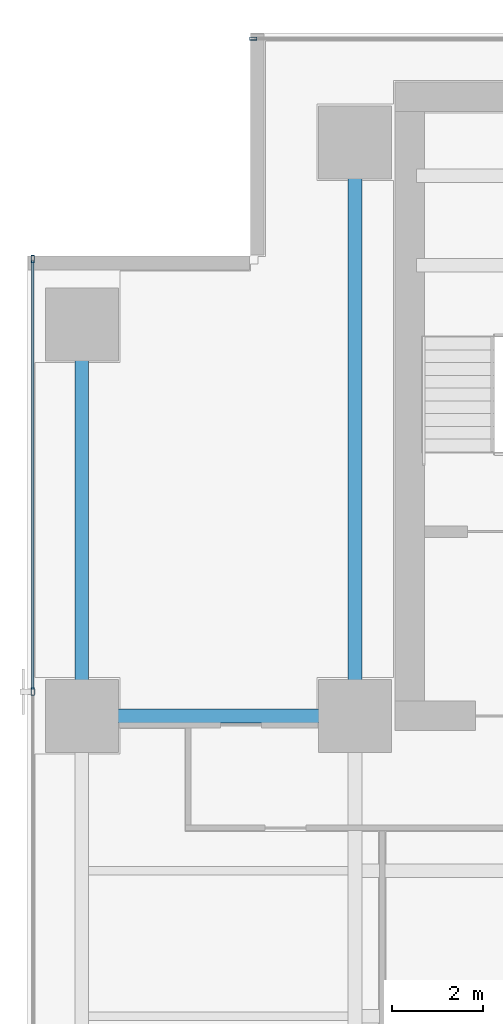
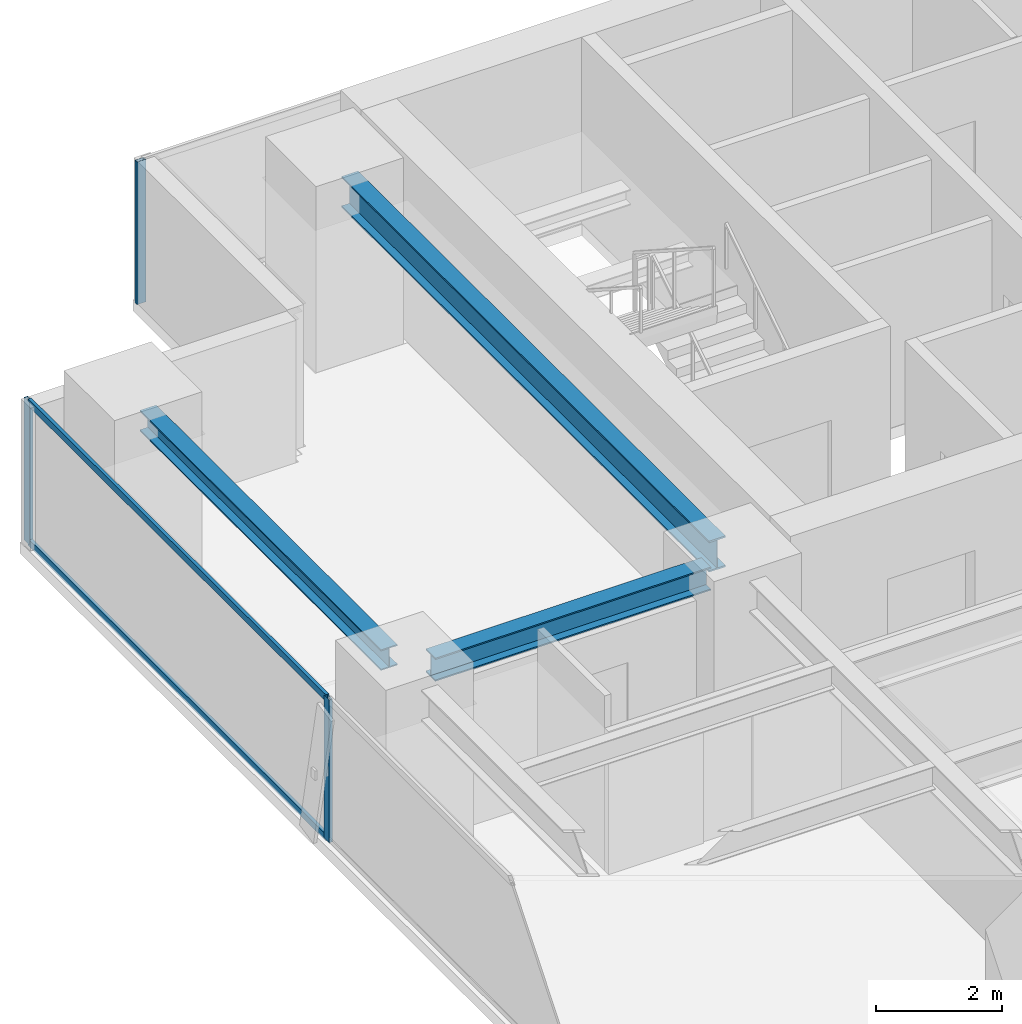
# One storey, part 14 of 27: 5 members, 3 beams, 2 elements without a shape of their own.
"""IFC4 building model written with IfcOpenShell, lengths in metres."""

from ifc_helpers import new_model, si_unit, direction, frame, origin, origin_2d, place, context, subcontext, project, spatial, hollow_rectangle, i_section, extrude, source, transform, mapped, material, layer, layer_set, material_profile, profile_set, type_object, element, aggregate, save


model = new_model("IFC4")

# Units and contexts
model_context = context("Model", 3, precision=1e-05, world=origin(), true_north=direction((0.0, 1.0)))
body_context = subcontext(model_context, "Body", "Model", "MODEL_VIEW")
ifc_project = project(units=[si_unit("LENGTHUNIT", "METRE"), si_unit("AREAUNIT", "SQUARE_METRE"), si_unit("VOLUMEUNIT", "CUBIC_METRE"), si_unit("PLANEANGLEUNIT", "RADIAN"), si_unit("MASSUNIT", "GRAM", prefix="KILO")], contexts=[model_context])

# Site, building, storey
site_placement = place(None, origin())
site = spatial("IfcSite", under=ifc_project, at=site_placement, CompositionType="ELEMENT")
building_placement = place(site_placement, origin())
building = spatial("IfcBuilding", under=site, at=building_placement, Name="Sumidabori Civic Tower", CompositionType="ELEMENT")
storey_placement = place(building_placement, frame((0.0, 0.0, 138.800048828125)))
storey = spatial("IfcBuildingStorey", under=building, at=storey_placement, Name="L35", CompositionType="ELEMENT", Elevation=138.800048828125)

# Beams
ifc_material_1 = material(Name="Steel SN490", Category="steel")
ifc_material_profile_1 = material_profile(ifc_material_1, i_section(OverallWidth=0.300048828125, OverallDepth=0.39990234375, WebThickness=0.013427734375, FlangeThickness=0.02392578125, at=origin_2d()), Name="HE 400 B")
ifc_profile_set_1 = profile_set([ifc_material_profile_1], Name="Steel SN490")
beam_type_1 = type_object("IfcBeamType", Name="BM-GIRD-400", PredefinedType="BEAM", material=ifc_profile_set_1)
shared_shape_1 = source(origin(), body_context, "Body", "SweptSolid", [
    extrude(i_section(OverallWidth=0.300048828125, OverallDepth=0.39990234375, WebThickness=0.013427734375, FlangeThickness=0.02392578125, at=origin_2d()), origin(), (0.0, 0.0, 1.0), 7.64013671875),
])
beam_1_placement = place(storey_placement, frame((-22.800048828125, 10.679931640625, 3.179931640625), z_axis=(0.0, 1.0, 0.0), x_axis=(-1.0, 0.0, 0.0)))
element("IfcBeam", 1, at=beam_1_placement, inside=storey, type_object=beam_type_1, Name="Primary Girder L35 GY-21", PredefinedType="BEAM", context=body_context, shape_type="MappedRepresentation", body=[
    mapped(shared_shape_1, transform((0.0, 0.0, 0.0), x_axis=(1.0, 0.0, 0.0), y_axis=(0.0, 1.0, 0.0), z_axis=(0.0, 0.0, 1.0), scale=1.0)),
])
ifc_material_profile_2 = material_profile(ifc_material_1, i_section(OverallWidth=0.300048828125, OverallDepth=0.60009765625, WebThickness=0.015380859375, FlangeThickness=0.030029296875, at=origin_2d()), Name="HE 600 B")
ifc_profile_set_2 = profile_set([ifc_material_profile_2], Name="Steel SN490")
beam_type_2 = type_object("IfcBeamType", Name="BM-GIRD-600", PredefinedType="BEAM", material=ifc_profile_set_2)
shared_shape_2 = source(origin(), body_context, "Body", "SweptSolid", [
    extrude(i_section(OverallWidth=0.300048828125, OverallDepth=0.60009765625, WebThickness=0.015380859375, FlangeThickness=0.030029296875, at=origin_2d()), origin(), (0.0, 0.0, 1.0), 11.64013671875),
])
beam_2_placement = place(storey_placement, frame((-16.800048828125, 10.679931640625, 3.079833984375), z_axis=(0.0, 1.0, 0.0), x_axis=(-1.0, 0.0, 0.0)))
element("IfcBeam", 2, at=beam_2_placement, inside=storey, type_object=beam_type_2, Name="Primary Girder L35 GY-25", PredefinedType="BEAM", context=body_context, shape_type="MappedRepresentation", body=[
    mapped(shared_shape_2, transform((0.0, 0.0, 0.0), x_axis=(1.0, 0.0, 0.0), y_axis=(0.0, 1.0, 0.0), z_axis=(0.0, 0.0, 1.0), scale=1.0)),
])
ifc_material_profile_3 = material_profile(ifc_material_1, i_section(OverallWidth=0.300048828125, OverallDepth=0.449951171875, WebThickness=0.013916015625, FlangeThickness=0.02587890625, at=origin_2d()), Name="HE 450 B")
ifc_profile_set_3 = profile_set([ifc_material_profile_3], Name="Steel SN490")
beam_type_3 = type_object("IfcBeamType", Name="BM-GIRD-450", PredefinedType="BEAM", material=ifc_profile_set_3)
shared_shape_3 = source(origin(), body_context, "Body", "SweptSolid", [
    extrude(i_section(OverallWidth=0.300048828125, OverallDepth=0.449951171875, WebThickness=0.013916015625, FlangeThickness=0.02587890625, at=origin_2d()), origin(), (0.0, 0.0, 1.0), 5.0400390625),
])
beam_3_placement = place(storey_placement, frame((-22.320068359375, 10.199951171875, 3.155029296875), z_axis=(1.0, 0.0, 0.0), x_axis=(0.0, 1.0, 0.0)))
element("IfcBeam", 3, at=beam_3_placement, inside=storey, type_object=beam_type_3, Name="Primary Girder L35 GX-17", PredefinedType="BEAM", context=body_context, shape_type="MappedRepresentation", body=[
    mapped(shared_shape_3, transform((0.0, 0.0, 0.0), x_axis=(1.0, 0.0, 0.0), y_axis=(0.0, 1.0, 0.0), z_axis=(0.0, 0.0, 1.0), scale=1.0)),
])

# Curtain wall, member
ifc_material_2 = material(Name="Anodised Bronze Aluminium AW-6063-T6", Category="aluminium")
ifc_layer = layer(ifc_material_2, 0.179931640625, Name="Anodised Bronze Aluminium AW-6063-T6")
ifc_layer_set = layer_set([ifc_layer], Name="Anodised Bronze Aluminium AW-6063-T6")
curtain_wall_type = type_object("IfcCurtainWallType", Name="CW-SYS-3", PredefinedType="NOTDEFINED", material=ifc_layer_set)
curtain_wall_1_placement = place(storey_placement, origin())
curtain_wall_1 = element("IfcCurtainWall", 4, at=curtain_wall_1_placement, inside=storey, type_object=curtain_wall_type, Name="Curtain Wall CW:L35:R07", PredefinedType="NOTDEFINED")
ifc_material_profile_4 = material_profile(ifc_material_2, hollow_rectangle(XDim=0.06494140625, YDim=0.159912109375, WallThickness=0.0048828125, at=origin_2d()), Name="ALU MULLION 160x65")
ifc_profile_set_4 = profile_set([ifc_material_profile_4], Name="Anodised Bronze Aluminium AW-6063-T6")
member_type_1 = type_object("IfcMemberType", Name="CW-MUL-160", PredefinedType="MULLION", material=ifc_profile_set_4)
shared_shape_4 = source(origin(), body_context, "Body", "SweptSolid", [
    extrude(hollow_rectangle(XDim=0.06494140625, YDim=0.159912109375, WallThickness=0.0048828125, at=origin_2d()), origin(), (0.0, 0.0, 1.0), 2.760009765625),
])
member_1_placement = place(storey_placement, frame((-19.03759765625, 25.080078125, 0.0), z_axis=(0.0, 0.0, 1.0), x_axis=(0.0, -1.0, 0.0)))
member_1 = element("IfcMember", 5, at=member_1_placement, type_object=member_type_1, Name="CW-3 mullion 5", PredefinedType="MULLION", context=body_context, shape_type="MappedRepresentation", body=[
    mapped(shared_shape_4, transform((0.0, 0.0, 0.0), x_axis=(1.0, 0.0, 0.0), y_axis=(0.0, 1.0, 0.0), z_axis=(0.0, 0.0, 1.0), scale=1.0)),
])
aggregate(curtain_wall_1, [member_1])

# Curtain wall, members
curtain_wall_2_placement = place(storey_placement, origin())
curtain_wall_2 = element("IfcCurtainWall", 6, at=curtain_wall_2_placement, inside=storey, type_object=curtain_wall_type, Name="Curtain Wall CW:L35:R10", PredefinedType="NOTDEFINED")
member_2_placement = place(storey_placement, frame((-23.8798828125, 20.237548828125, 0.0), z_axis=(0.0, 0.0, 1.0), x_axis=(1.0, 0.0, 0.0)))
member_2 = element("IfcMember", 7, at=member_2_placement, type_object=member_type_1, Name="CW-3 mullion 1", PredefinedType="MULLION", context=body_context, shape_type="MappedRepresentation", body=[
    mapped(shared_shape_4, transform((0.0, 0.0, 0.0), x_axis=(1.0, 0.0, 0.0), y_axis=(0.0, 1.0, 0.0), z_axis=(0.0, 0.0, 1.0), scale=1.0)),
])
member_3_placement = place(storey_placement, frame((-23.8798828125, 10.735107421875, 0.0), z_axis=(0.0, 0.0, 1.0), x_axis=(1.0, 0.0, 0.0)))
member_3 = element("IfcMember", 8, at=member_3_placement, type_object=member_type_1, Name="CW-3 mullion 2", PredefinedType="MULLION", context=body_context, shape_type="MappedRepresentation", body=[
    mapped(shared_shape_4, transform((0.0, 0.0, 0.0), x_axis=(1.0, 0.0, 0.0), y_axis=(0.0, 1.0, 0.0), z_axis=(0.0, 0.0, 1.0), scale=1.0)),
])
ifc_material_profile_5 = material_profile(ifc_material_2, hollow_rectangle(XDim=0.06005859375, YDim=0.1298828125, WallThickness=0.0048828125, at=origin_2d()), Name="ALU TRANSOM 130x60")
ifc_profile_set_5 = profile_set([ifc_material_profile_5], Name="Anodised Bronze Aluminium AW-6063-T6")
member_type_2 = type_object("IfcMemberType", Name="CW-TRN-130", PredefinedType="USERDEFINED", material=ifc_profile_set_5)
shared_shape_5 = source(origin(), body_context, "Body", "SweptSolid", [
    extrude(hollow_rectangle(XDim=0.06005859375, YDim=0.1298828125, WallThickness=0.0048828125, at=origin_2d()), origin(), (0.0, 0.0, 1.0), 9.4375),
])
member_4_placement = place(storey_placement, frame((-23.8798828125, 20.205078125, 0.030029296875), z_axis=(0.0, -1.0, 0.0), x_axis=(1.0, 0.0, 0.0)))
member_4 = element("IfcMember", 9, at=member_4_placement, type_object=member_type_2, Name="CW-3 transom 1.1", ObjectType="TRANSOM", PredefinedType="USERDEFINED", context=body_context, shape_type="MappedRepresentation", body=[
    mapped(shared_shape_5, transform((0.0, 0.0, 0.0), x_axis=(1.0, 0.0, 0.0), y_axis=(0.0, 1.0, 0.0), z_axis=(0.0, 0.0, 1.0), scale=1.0)),
])
member_5_placement = place(storey_placement, frame((-23.8798828125, 20.205078125, 2.72998046875), z_axis=(0.0, -1.0, 0.0), x_axis=(1.0, 0.0, 0.0)))
member_5 = element("IfcMember", 10, at=member_5_placement, type_object=member_type_2, Name="CW-3 transom 1.2", ObjectType="TRANSOM", PredefinedType="USERDEFINED", context=body_context, shape_type="MappedRepresentation", body=[
    mapped(shared_shape_5, transform((0.0, 0.0, 0.0), x_axis=(1.0, 0.0, 0.0), y_axis=(0.0, 1.0, 0.0), z_axis=(0.0, 0.0, 1.0), scale=1.0)),
])
aggregate(curtain_wall_2, [member_2, member_3, member_4, member_5])

save(model, "model.ifc")
